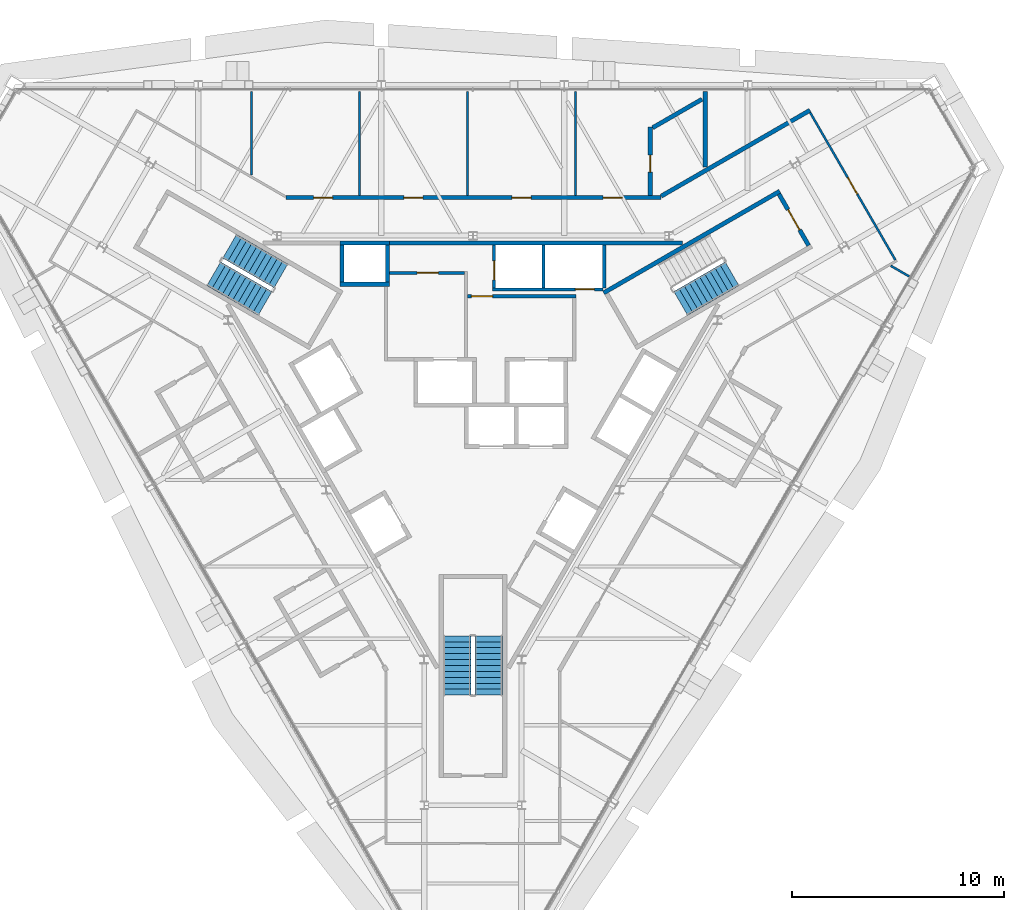
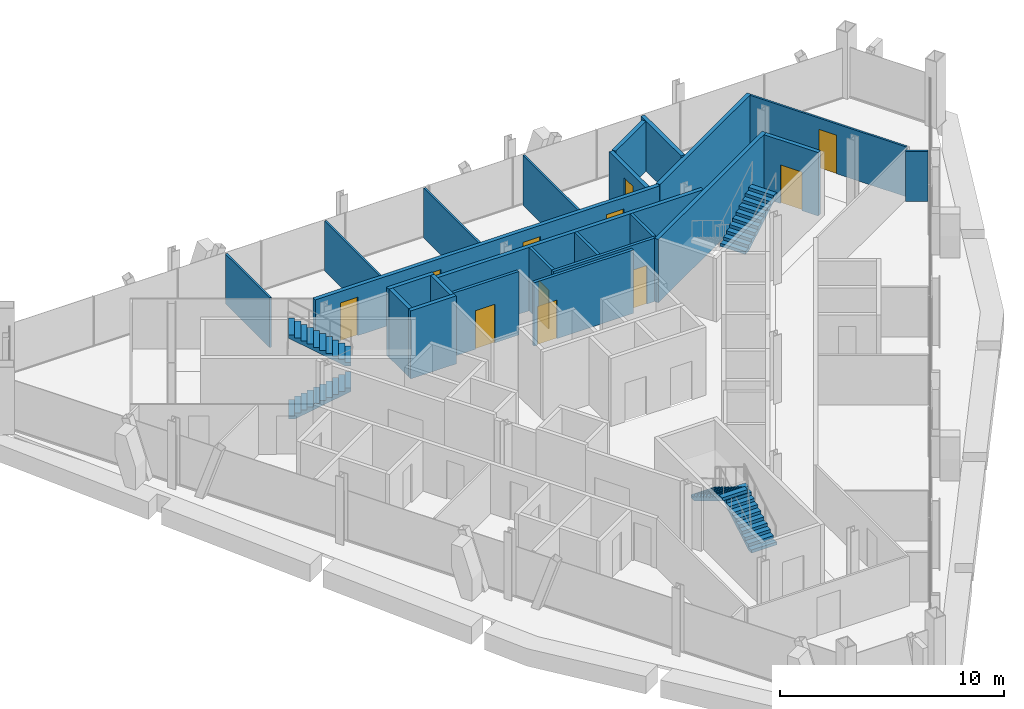
# One storey, part 11 of 13: 24 walls, 11 doors, 5 stair flights, 11 openings, 3 elements without a shape of their own.
"""IFC4 building model written with IfcOpenShell, lengths in metres."""

from ifc_helpers import new_model, si_unit, direction, frame, frame_2d, origin, place, context, subcontext, project, spatial, polyline, rectangle, outline, extrude, material, layer, layer_set, type_object, element, fill, aggregate, save


model = new_model("IFC4")

# Units and contexts
model_context = context("Model", 3, precision=1e-05, world=origin(), true_north=direction((0.0, 1.0)))
body_context = subcontext(model_context, "Body", "Model", "MODEL_VIEW")
ifc_project = project(units=[si_unit("LENGTHUNIT", "METRE"), si_unit("AREAUNIT", "SQUARE_METRE"), si_unit("VOLUMEUNIT", "CUBIC_METRE"), si_unit("PLANEANGLEUNIT", "RADIAN"), si_unit("MASSUNIT", "GRAM", prefix="KILO")], contexts=[model_context])

# Site, building, storey
site_placement = place(None, origin())
site = spatial("IfcSite", under=ifc_project, at=site_placement, CompositionType="ELEMENT")
building_placement = place(site_placement, origin())
building = spatial("IfcBuilding", under=site, at=building_placement, Name="Verrane Prism Tower", CompositionType="ELEMENT")
storey_placement = place(building_placement, frame((0.0, 0.0, 210.10009765625)))
storey = spatial("IfcBuildingStorey", under=building, at=storey_placement, Name="L52", CompositionType="ELEMENT", Elevation=210.10009765625)

# Wall
ifc_material_1 = material(Name="Gypsum board partition", Category="other")
ifc_layer_1 = layer(ifc_material_1, 0.199951171875)
ifc_layer_set_1 = layer_set([ifc_layer_1], Name="CW-200 core boundary wall 2 h")
wall_type_1 = type_object("IfcWallType", Name="CW-200 core boundary wall 2 h", PredefinedType="PARTITIONING", material=ifc_layer_set_1)
wall_1_placement = place(storey_placement, frame((-3.93310546875, 7.659912109375, 0.0), z_axis=(0.0, 0.0, 1.0), x_axis=(1.0, 0.0, 0.0)))
element("IfcWall", 1, at=wall_1_placement, inside=storey, type_object=wall_type_1, Name="Core boundary wall CW3-005", PredefinedType="PARTITIONING", context=body_context, shape_type="SweptSolid", body=[
    extrude(rectangle(XDim=13.841064453125, YDim=0.199951171875, at=frame_2d((6.92041015625, 0.0))), origin(), (0.0, 0.0, 1.0), 3.449951171875),
])

# Wall, opening, door
ifc_material_2 = material(Name="Concrete C40/50", Category="concrete")
ifc_layer_2 = layer(ifc_material_2, 0.199951171875)
ifc_layer_set_2 = layer_set([ifc_layer_2], Name="CW-200 stair core wall concrete C40/50 3 h")
wall_type_2 = type_object("IfcWallType", Name="CW-200 stair core wall concrete C40/50 3 h", PredefinedType="PARTITIONING", material=ifc_layer_set_2)
wall_2_placement = place(storey_placement, frame((15.85546875, 7.53759765625, 0.0), z_axis=(0.0, 0.0, 1.0), x_axis=(-0.500049511043, 0.865996816683, 0.0)))
wall_2 = element("IfcWall", 2, at=wall_2_placement, inside=storey, type_object=wall_type_2, Name="Stair 1 enclosure wall", PredefinedType="PARTITIONING", context=body_context, shape_type="SweptSolid", body=[
    extrude(rectangle(XDim=2.800048828125, YDim=0.199951171875, at=frame_2d((1.39990234375, 0.0))), origin(), (0.0, 0.0, 1.0), 3.449951171875),
])
opening_1_placement = place(wall_2_placement, frame((0.849853515625, 0.0, 0.0)))
opening_1 = element("IfcOpeningElement", 3, at=opening_1_placement, cuts=wall_2, Name="Opening D51500", PredefinedType="OPENING", context=body_context, shape_type="SweptSolid", body=[
    extrude(rectangle(XDim=1.10009765625, YDim=2.10009765625, at=frame_2d((0.550048828125, 1.050048828125))), frame((0.0, 0.10986328125, 0.0), z_axis=(0.0, -1.0, 0.0), x_axis=(1.0, 0.0, 0.0)), (0.0, 0.0, 1.0), 0.219970703125),
])
ifc_material_3 = material(Name="Timber veneered door leaf", Category="wood")
door_type_1 = type_object("IfcDoorType", Name="DR-1100x2100 FD90 single leaf stair", OperationType="NOTDEFINED", PredefinedType="DOOR", material=ifc_material_3)
door_1_placement = place(opening_1_placement, origin())
door_1 = element("IfcDoor", 4, at=door_1_placement, inside=storey, type_object=door_type_1, Name="Stair 1 door", OperationType="SINGLE_SWING_LEFT", OverallHeight=2.10009765625, OverallWidth=1.10009765625, PredefinedType="DOOR", context=body_context, shape_type="SweptSolid", body=[
    extrude(rectangle(XDim=1.10009765625, YDim=2.10009765625, at=frame_2d((0.550048828125, 1.050048828125))), frame((0.0, 0.02490234375, 0.0), z_axis=(0.0, -1.0, 0.0), x_axis=(1.0, 0.0, 0.0)), (0.0, 0.0, 1.0), 0.050048828125),
])
fill(opening_1, door_1)

# Walls
wall_3_placement = place(storey_placement, frame((6.17822265625, 5.299072265625, 0.0), z_axis=(0.0, 0.0, 1.0), x_axis=(0.866019993635, 0.500009370536, 0.0)))
element("IfcWall", 5, at=wall_3_placement, inside=storey, type_object=wall_type_2, Name="Stair 1 enclosure wall", PredefinedType="PARTITIONING", context=body_context, shape_type="SweptSolid", body=[
    extrude(rectangle(XDim=9.599853515625, YDim=0.199951171875, at=frame_2d((4.7998046875, 0.0))), origin(), (0.0, 0.0, 1.0), 3.449951171875),
])
ifc_material_4 = material(Name="Gypsum board shaft wall assembly", Category="other")
ifc_layer_3 = layer(ifc_material_4, 0.199951171875)
ifc_layer_set_3 = layer_set([ifc_layer_3], Name="HW-200 lift shaft wall 2 h")
wall_type_3 = type_object("IfcWallType", Name="HW-200 lift shaft wall 2 h", PredefinedType="PARTITIONING", material=ifc_layer_set_3)
for number, where, z_axis, x_axis, name in (
    (6, (-6.284912109375, 5.7099609375, 0.0), (0.0, 0.0, 1.0), (1.0, 0.0, 0.0), "Lift shaft wall"),
    (7, (-6.284912109375, 7.659912109375, 0.0), (0.0, 0.0, 1.0), (1.0, 0.0, 0.0), "Lift shaft wall"),
):
    element("IfcWall", number, at=place(storey_placement, frame(where, z_axis=z_axis, x_axis=x_axis)), inside=storey, type_object=wall_type_3, Name=name, PredefinedType="PARTITIONING", context=body_context, shape_type="SweptSolid", body=[
        extrude(rectangle(XDim=2.349853515625, YDim=0.199951171875, at=frame_2d((1.1748046875, 0.0))), origin(), (0.0, 0.0, 1.0), 3.699951171875),
    ])
for number, where, z_axis, x_axis, name in (
    (8, (-4.034912109375, 5.81005859375, 0.0), (0.0, 0.0, 1.0), (0.0, 1.0, 0.0), "Lift shaft wall"),
    (9, (-6.18505859375, 5.81005859375, 0.0), (0.0, 0.0, 1.0), (0.0, 1.0, 0.0), "Lift shaft wall"),
):
    element("IfcWall", number, at=place(storey_placement, frame(where, z_axis=z_axis, x_axis=x_axis)), inside=storey, type_object=wall_type_3, Name=name, PredefinedType="PARTITIONING", context=body_context, shape_type="SweptSolid", body=[
        extrude(rectangle(XDim=1.75, YDim=0.199951171875, at=frame_2d((0.875, 0.0))), origin(), (0.0, 0.0, 1.0), 3.699951171875),
    ])

# Wall, opening, door
ifc_material_5 = material(Name="Gypsum board partition", Category="other")
ifc_layer_4 = layer(ifc_material_5, 0.14990234375)
ifc_layer_set_4 = layer_set([ifc_layer_4], Name="LF-150 firefighting lobby wall 1 h")
wall_type_4 = type_object("IfcWallType", Name="LF-150 firefighting lobby wall 1 h", PredefinedType="PARTITIONING", material=ifc_layer_set_4)
wall_4_placement = place(storey_placement, frame((-3.93310546875, 6.239990234375, 0.0), z_axis=(0.0, 0.0, 1.0), x_axis=(1.0, 0.0, 0.0)))
wall_4 = element("IfcWall", 10, at=wall_4_placement, inside=storey, type_object=wall_type_4, Name="Firefighting lobby wall LF1-003", PredefinedType="PARTITIONING", context=body_context, shape_type="SweptSolid", body=[
    extrude(rectangle(XDim=3.5380859375, YDim=0.14990234375, at=frame_2d((1.76904296875, 0.0))), origin(), (0.0, 0.0, 1.0), 3.449951171875),
])
opening_2_placement = place(wall_4_placement, frame((1.300048828125, 0.0, 0.0)))
opening_2 = element("IfcOpeningElement", 11, at=opening_2_placement, cuts=wall_4, Name="Opening D51512", PredefinedType="OPENING", context=body_context, shape_type="SweptSolid", body=[
    extrude(rectangle(XDim=1.0, YDim=2.10009765625, at=frame_2d((0.5, 1.050048828125))), frame((0.0, 0.0849609375, 0.0), z_axis=(0.0, -1.0, 0.0), x_axis=(1.0, 0.0, 0.0)), (0.0, 0.0, 1.0), 0.169921875),
])
ifc_material_6 = material(Name="Timber veneered door leaf", Category="wood")
door_type_2 = type_object("IfcDoorType", Name="DR-1000x2100 FD60 single leaf firefighting lobby", OperationType="NOTDEFINED", PredefinedType="DOOR", material=ifc_material_6)
door_2_placement = place(opening_2_placement, origin())
door_2 = element("IfcDoor", 12, at=door_2_placement, inside=storey, type_object=door_type_2, Name="Firefighting lobby door D51512", OperationType="SINGLE_SWING_LEFT", OverallHeight=2.10009765625, OverallWidth=1.0, PredefinedType="DOOR", context=body_context, shape_type="SweptSolid", body=[
    extrude(rectangle(XDim=1.0, YDim=2.10009765625, at=frame_2d((0.5, 1.050048828125))), frame((0.0, 0.02490234375, 0.0), z_axis=(0.0, -1.0, 0.0), x_axis=(1.0, 0.0, 0.0)), (0.0, 0.0, 1.0), 0.050048828125),
])
fill(opening_2, door_2)

wall_5_placement = place(storey_placement, frame((-0.2451171875, 5.139892578125, 0.0), z_axis=(0.0, 0.0, 1.0), x_axis=(1.0, 0.0, 0.0)))
wall_5 = element("IfcWall", 13, at=wall_5_placement, inside=storey, type_object=wall_type_4, Name="Firefighting lobby wall LF1-005", PredefinedType="PARTITIONING", context=body_context, shape_type="SweptSolid", body=[
    extrude(rectangle(XDim=5.110107421875, YDim=0.14990234375, at=frame_2d((2.55517578125, 0.0))), origin(), (0.0, 0.0, 1.0), 3.449951171875),
])
opening_3_placement = place(wall_5_placement, frame((0.175048828125, 0.0, 0.0)))
opening_3 = element("IfcOpeningElement", 14, at=opening_3_placement, cuts=wall_5, Name="Opening D51513", PredefinedType="OPENING", context=body_context, shape_type="SweptSolid", body=[
    extrude(rectangle(XDim=1.0, YDim=2.10009765625, at=frame_2d((0.5, 1.050048828125))), frame((0.0, 0.0849609375, 0.0), z_axis=(0.0, -1.0, 0.0), x_axis=(1.0, 0.0, 0.0)), (0.0, 0.0, 1.0), 0.169921875),
])
door_3_placement = place(opening_3_placement, origin())
door_3 = element("IfcDoor", 15, at=door_3_placement, inside=storey, type_object=door_type_2, Name="Firefighting lobby door D51513", OperationType="SINGLE_SWING_LEFT", OverallHeight=2.10009765625, OverallWidth=1.0, PredefinedType="DOOR", context=body_context, shape_type="SweptSolid", body=[
    extrude(rectangle(XDim=1.0, YDim=2.10009765625, at=frame_2d((0.5, 1.050048828125))), frame((0.0, 0.02490234375, 0.0), z_axis=(0.0, -1.0, 0.0), x_axis=(1.0, 0.0, 0.0)), (0.0, 0.0, 1.0), 0.050048828125),
])
fill(opening_3, door_3)

# Walls
ifc_material_7 = material(Name="Gypsum board partition", Category="other")
ifc_layer_5 = layer(ifc_material_7, 0.10009765625)
ifc_layer_set_5 = layer_set([ifc_layer_5], Name="PW-100 room partition")
wall_type_5 = type_object("IfcWallType", Name="PW-100 room partition", PredefinedType="PARTITIONING", material=ifc_layer_set_5)
wall_6_placement = place(storey_placement, frame((-10.4609375, 10.858642578125, 0.0), z_axis=(0.0, 0.0, 1.0), x_axis=(0.0, 1.0, 0.0)))
element("IfcWall", 16, at=wall_6_placement, inside=storey, type_object=wall_type_5, Name="Room partition 013", PredefinedType="PARTITIONING", context=body_context, shape_type="SweptSolid", body=[
    extrude(rectangle(XDim=3.947265625, YDim=0.10009765625, at=frame_2d((1.9736328125, 0.0))), origin(), (0.0, 0.0, 1.0), 2.712890625),
])
for number, where, z_axis, x_axis, name in (
    (17, (-5.35791015625, 9.89990234375, 0.0), (0.0, 0.0, 1.0), (0.0, 1.0, 0.0), "Room partition 020"),
    (18, (-0.2548828125, 9.89990234375, 0.0), (0.0, 0.0, 1.0), (0.0, 1.0, 0.0), "Room partition 024"),
    (19, (4.847900390625, 9.89990234375, 0.0), (0.0, 0.0, 1.0), (0.0, 1.0, 0.0), "Room partition 029"),
):
    element("IfcWall", number, at=place(storey_placement, frame(where, z_axis=z_axis, x_axis=x_axis)), inside=storey, type_object=wall_type_5, Name=name, PredefinedType="PARTITIONING", context=body_context, shape_type="SweptSolid", body=[
        extrude(rectangle(XDim=4.906005859375, YDim=0.10009765625, at=frame_2d((2.453125, 0.0))), origin(), (0.0, 0.0, 1.0), 2.712890625),
    ])

# Wall, opening, door
wall_7_placement = place(storey_placement, frame((15.927978515625, 13.8115234375, 0.0), z_axis=(0.0, 0.0, 1.0), x_axis=(0.500422653123, -0.865781247337, 0.0)))
wall_7 = element("IfcWall", 20, at=wall_7_placement, inside=storey, type_object=wall_type_5, Name="Room partition 041", PredefinedType="PARTITIONING", context=body_context, shape_type="SweptSolid", body=[
    extrude(rectangle(XDim=8.04736328125, YDim=0.10009765625, at=frame_2d((4.023681640625, 0.0))), origin(), (0.0, 0.0, 1.0), 2.712890625),
])
opening_4_placement = place(wall_7_placement, frame((3.550048828125, 0.0, 0.0)))
opening_4 = element("IfcOpeningElement", 21, at=opening_4_placement, cuts=wall_7, Name="Opening D51007", PredefinedType="OPENING", context=body_context, shape_type="SweptSolid", body=[
    extrude(rectangle(XDim=0.89990234375, YDim=2.10009765625, at=frame_2d((0.449951171875, 1.050048828125))), frame((0.0, 0.06005859375, 0.0), z_axis=(0.0, -1.0, 0.0), x_axis=(1.0, 0.0, 0.0)), (0.0, 0.0, 1.0), 0.1201171875),
])
ifc_material_8 = material(Name="Timber veneered door leaf", Category="wood")
door_type_3 = type_object("IfcDoorType", Name="DR-900x2100 single leaf unit", OperationType="NOTDEFINED", PredefinedType="DOOR", material=ifc_material_8)
door_4_placement = place(opening_4_placement, origin())
door_4 = element("IfcDoor", 22, at=door_4_placement, inside=storey, type_object=door_type_3, Name="Kitchen door", OperationType="SINGLE_SWING_LEFT", OverallHeight=2.10009765625, OverallWidth=0.89990234375, PredefinedType="DOOR", context=body_context, shape_type="SweptSolid", body=[
    extrude(rectangle(XDim=0.89990234375, YDim=2.10009765625, at=frame_2d((0.449951171875, 1.050048828125))), frame((0.0, 0.02490234375, 0.0), z_axis=(0.0, -1.0, 0.0), x_axis=(1.0, 0.0, 0.0)), (0.0, 0.0, 1.0), 0.050048828125),
])
fill(opening_4, door_4)

# Wall
wall_8_placement = place(storey_placement, frame((19.739013671875, 6.57568359375, 0.0), z_axis=(0.0, 0.0, 1.0), x_axis=(0.865855657918, -0.500293893279, 0.0)))
element("IfcWall", 23, at=wall_8_placement, inside=storey, type_object=wall_type_5, Name="Room partition 042", PredefinedType="PARTITIONING", context=body_context, shape_type="SweptSolid", body=[
    extrude(rectangle(XDim=0.99853515625, YDim=0.10009765625, at=frame_2d((0.499267578125, 0.0))), origin(), (0.0, 0.0, 1.0), 2.712890625),
])

# Wall, openings, doors
ifc_material_9 = material(Name="Gypsum board partition", Category="other")
ifc_layer_6 = layer(ifc_material_9, 0.199951171875)
ifc_layer_set_6 = layer_set([ifc_layer_6], Name="PW-200 plumbing wall")
wall_type_6 = type_object("IfcWallType", Name="PW-200 plumbing wall", PredefinedType="PARTITIONING", material=ifc_layer_set_6)
wall_9_placement = place(storey_placement, frame((-8.827880859375, 9.800048828125, 0.0), z_axis=(0.0, 0.0, 1.0), x_axis=(1.0, 0.0, 0.0)))
wall_9 = element("IfcWall", 24, at=wall_9_placement, inside=storey, type_object=wall_type_6, Name="Plumbing wall 017", PredefinedType="PARTITIONING", context=body_context, shape_type="SweptSolid", body=[
    extrude(rectangle(XDim=17.705810546875, YDim=0.199951171875, at=frame_2d((8.85302734375, 0.0))), origin(), (0.0, 0.0, 1.0), 2.712890625),
])
opening_5_placement = place(wall_9_placement, frame((14.97607421875, 0.0, 0.0)))
opening_5 = element("IfcOpeningElement", 25, at=opening_5_placement, cuts=wall_9, Name="Opening D51008", PredefinedType="OPENING", context=body_context, shape_type="SweptSolid", body=[
    extrude(rectangle(XDim=0.89990234375, YDim=2.10009765625, at=frame_2d((0.449951171875, 1.050048828125))), frame((0.0, 0.10986328125, 0.0), z_axis=(0.0, -1.0, 0.0), x_axis=(1.0, 0.0, 0.0)), (0.0, 0.0, 1.0), 0.219970703125),
])
opening_6_placement = place(wall_9_placement, frame((10.673095703125, 0.0, 0.0)))
opening_6 = element("IfcOpeningElement", 26, at=opening_6_placement, cuts=wall_9, Name="Opening D51010", PredefinedType="OPENING", context=body_context, shape_type="SweptSolid", body=[
    extrude(rectangle(XDim=0.89990234375, YDim=2.10009765625, at=frame_2d((0.449951171875, 1.050048828125))), frame((0.0, 0.10986328125, 0.0), z_axis=(0.0, -1.0, 0.0), x_axis=(1.0, 0.0, 0.0)), (0.0, 0.0, 1.0), 0.219970703125),
])
opening_7_placement = place(wall_9_placement, frame((5.570068359375, 0.0, 0.0)))
opening_7 = element("IfcOpeningElement", 27, at=opening_7_placement, cuts=wall_9, Name="Opening D51011", PredefinedType="OPENING", context=body_context, shape_type="SweptSolid", body=[
    extrude(rectangle(XDim=0.89990234375, YDim=2.10009765625, at=frame_2d((0.449951171875, 1.050048828125))), frame((0.0, 0.10986328125, 0.0), z_axis=(0.0, -1.0, 0.0), x_axis=(1.0, 0.0, 0.0)), (0.0, 0.0, 1.0), 0.219970703125),
])
opening_8_placement = place(wall_9_placement, frame((1.300048828125, 0.0, 0.0)))
opening_8 = element("IfcOpeningElement", 28, at=opening_8_placement, cuts=wall_9, Name="Opening D51012", PredefinedType="OPENING", context=body_context, shape_type="SweptSolid", body=[
    extrude(rectangle(XDim=0.89990234375, YDim=2.10009765625, at=frame_2d((0.449951171875, 1.050048828125))), frame((0.0, 0.10986328125, 0.0), z_axis=(0.0, -1.0, 0.0), x_axis=(1.0, 0.0, 0.0)), (0.0, 0.0, 1.0), 0.219970703125),
])
ifc_material_10 = material(Name="Timber veneered door leaf", Category="wood")
door_type_4 = type_object("IfcDoorType", Name="DR-900x2100 single leaf inner", OperationType="NOTDEFINED", PredefinedType="DOOR", material=ifc_material_10)
door_5_placement = place(opening_5_placement, origin())
door_5 = element("IfcDoor", 29, at=door_5_placement, inside=storey, type_object=door_type_4, Name="Master Bedroom door", OperationType="SINGLE_SWING_RIGHT", OverallHeight=2.10009765625, OverallWidth=0.89990234375, PredefinedType="DOOR", context=body_context, shape_type="SweptSolid", body=[
    extrude(rectangle(XDim=0.89990234375, YDim=2.10009765625, at=frame_2d((0.449951171875, 1.050048828125))), frame((0.0, 0.02490234375, 0.0), z_axis=(0.0, -1.0, 0.0), x_axis=(1.0, 0.0, 0.0)), (0.0, 0.0, 1.0), 0.050048828125),
])
fill(opening_5, door_5)
door_6_placement = place(opening_6_placement, origin())
door_6 = element("IfcDoor", 30, at=door_6_placement, inside=storey, type_object=door_type_3, Name="Study door", OperationType="SINGLE_SWING_RIGHT", OverallHeight=2.10009765625, OverallWidth=0.89990234375, PredefinedType="DOOR", context=body_context, shape_type="SweptSolid", body=[
    extrude(rectangle(XDim=0.89990234375, YDim=2.10009765625, at=frame_2d((0.449951171875, 1.050048828125))), frame((0.0, 0.02490234375, 0.0), z_axis=(0.0, -1.0, 0.0), x_axis=(1.0, 0.0, 0.0)), (0.0, 0.0, 1.0), 0.050048828125),
])
fill(opening_6, door_6)
door_7_placement = place(opening_7_placement, origin())
door_7 = element("IfcDoor", 31, at=door_7_placement, inside=storey, type_object=door_type_3, Name="Study door", OperationType="SINGLE_SWING_LEFT", OverallHeight=2.10009765625, OverallWidth=0.89990234375, PredefinedType="DOOR", context=body_context, shape_type="SweptSolid", body=[
    extrude(rectangle(XDim=0.89990234375, YDim=2.10009765625, at=frame_2d((0.449951171875, 1.050048828125))), frame((0.0, 0.02490234375, 0.0), z_axis=(0.0, -1.0, 0.0), x_axis=(1.0, 0.0, 0.0)), (0.0, 0.0, 1.0), 0.050048828125),
])
fill(opening_7, door_7)
door_8_placement = place(opening_8_placement, origin())
door_8 = element("IfcDoor", 32, at=door_8_placement, inside=storey, type_object=door_type_3, Name="Study door", OperationType="SINGLE_SWING_RIGHT", OverallHeight=2.10009765625, OverallWidth=0.89990234375, PredefinedType="DOOR", context=body_context, shape_type="SweptSolid", body=[
    extrude(rectangle(XDim=0.89990234375, YDim=2.10009765625, at=frame_2d((0.449951171875, 1.050048828125))), frame((0.0, 0.02490234375, 0.0), z_axis=(0.0, -1.0, 0.0), x_axis=(1.0, 0.0, 0.0)), (0.0, 0.0, 1.0), 0.050048828125),
])
fill(opening_8, door_8)

# Wall, opening, door
wall_10_placement = place(storey_placement, frame((8.37109375, 13.12890625, 0.0), z_axis=(0.0, 0.0, 1.0), x_axis=(0.0, -1.0, 0.0)))
wall_10 = element("IfcWall", 33, at=wall_10_placement, inside=storey, type_object=wall_type_6, Name="Plumbing wall 031", PredefinedType="PARTITIONING", context=body_context, shape_type="SweptSolid", body=[
    extrude(rectangle(XDim=3.22900390625, YDim=0.199951171875, at=frame_2d((1.614501953125, 0.0))), origin(), (0.0, 0.0, 1.0), 2.712890625),
])
opening_9_placement = place(wall_10_placement, frame((1.3291015625, 0.0, 0.0)))
opening_9 = element("IfcOpeningElement", 34, at=opening_9_placement, cuts=wall_10, Name="Opening D51009", PredefinedType="OPENING", context=body_context, shape_type="SweptSolid", body=[
    extrude(rectangle(XDim=0.800048828125, YDim=2.10009765625, at=frame_2d((0.39990234375, 1.050048828125))), frame((0.0, 0.10986328125, 0.0), z_axis=(0.0, -1.0, 0.0), x_axis=(1.0, 0.0, 0.0)), (0.0, 0.0, 1.0), 0.219970703125),
])
ifc_material_11 = material(Name="Timber veneered door leaf", Category="wood")
door_type_5 = type_object("IfcDoorType", Name="DR-800x2100 single leaf bath", OperationType="NOTDEFINED", PredefinedType="DOOR", material=ifc_material_11)
door_9_placement = place(opening_9_placement, origin())
door_9 = element("IfcDoor", 35, at=door_9_placement, inside=storey, type_object=door_type_5, Name="Master Bathroom door", OperationType="SINGLE_SWING_RIGHT", OverallHeight=2.10009765625, OverallWidth=0.800048828125, PredefinedType="DOOR", context=body_context, shape_type="SweptSolid", body=[
    extrude(rectangle(XDim=0.800048828125, YDim=2.10009765625, at=frame_2d((0.39990234375, 1.050048828125))), frame((0.0, 0.02490234375, 0.0), z_axis=(0.0, -1.0, 0.0), x_axis=(1.0, 0.0, 0.0)), (0.0, 0.0, 1.0), 0.050048828125),
])
fill(opening_9, door_9)

# Walls
wall_11_placement = place(storey_placement, frame((8.488037109375, 13.096435546875, 0.0), z_axis=(0.0, 0.0, 1.0), x_axis=(0.866031650062, 0.499989180974, 0.0)))
element("IfcWall", 36, at=wall_11_placement, inside=storey, type_object=wall_type_6, Name="Plumbing wall 032", PredefinedType="PARTITIONING", context=body_context, shape_type="SweptSolid", body=[
    extrude(rectangle(XDim=2.69384765625, YDim=0.199951171875, at=frame_2d((1.346923828125, 0.0))), origin(), (0.0, 0.0, 1.0), 2.712890625),
])
wall_12_placement = place(storey_placement, frame((8.89501953125, 9.867431640625, 0.0), z_axis=(0.0, 0.0, 1.0), x_axis=(0.866079355551, 0.499906541154, 0.0)))
element("IfcWall", 37, at=wall_12_placement, inside=storey, type_object=wall_type_6, Name="Plumbing wall 033", PredefinedType="PARTITIONING", context=body_context, shape_type="SweptSolid", body=[
    extrude(rectangle(XDim=8.11279296875, YDim=0.199951171875, at=frame_2d((4.056396484375, 0.0))), origin(), (0.0, 0.0, 1.0), 2.712890625),
])
wall_13_placement = place(storey_placement, frame((10.970947265625, 11.2392578125, 0.0), z_axis=(0.0, 0.0, 1.0), x_axis=(0.0, 1.0, 0.0)))
element("IfcWall", 38, at=wall_13_placement, inside=storey, type_object=wall_type_6, Name="Plumbing wall 035", PredefinedType="PARTITIONING", context=body_context, shape_type="SweptSolid", body=[
    extrude(rectangle(XDim=3.566650390625, YDim=0.199951171875, at=frame_2d((1.783203125, 0.0))), origin(), (0.0, 0.0, 1.0), 2.712890625),
])

# Wall, opening, door
ifc_material_12 = material(Name="Gypsum board partition", Category="other")
ifc_layer_7 = layer(ifc_material_12, 0.14990234375)
ifc_layer_set_7 = layer_set([ifc_layer_7], Name="RS-150 riser enclosure wall 1 h")
wall_type_7 = type_object("IfcWallType", Name="RS-150 riser enclosure wall 1 h", PredefinedType="PARTITIONING", material=ifc_layer_set_7)
wall_14_placement = place(storey_placement, frame((1.0, 7.56005859375, 0.0), z_axis=(0.0, 0.0, 1.0), x_axis=(0.0, -1.0, 0.0)))
wall_14 = element("IfcWall", 39, at=wall_14_placement, inside=storey, type_object=wall_type_7, Name="Riser wall RS3-001", PredefinedType="PARTITIONING", context=body_context, shape_type="SweptSolid", body=[
    extrude(rectangle(XDim=2.025146484375, YDim=0.14990234375, at=frame_2d((1.0126953125, 0.0))), origin(), (0.0, 0.0, 1.0), 3.449951171875),
])
opening_10_placement = place(wall_14_placement, frame((0.75, 0.0, 0.0)))
opening_10 = element("IfcOpeningElement", 40, at=opening_10_placement, cuts=wall_14, Name="Opening D51514", PredefinedType="OPENING", context=body_context, shape_type="SweptSolid", body=[
    extrude(rectangle(XDim=0.89990234375, YDim=2.10009765625, at=frame_2d((0.449951171875, 1.050048828125))), frame((0.0, 0.0849609375, 0.0), z_axis=(0.0, -1.0, 0.0), x_axis=(1.0, 0.0, 0.0)), (0.0, 0.0, 1.0), 0.169921875),
])
ifc_material_13 = material(Name="Timber veneered door leaf", Category="wood")
door_type_6 = type_object("IfcDoorType", Name="DR-900x2100 FD60 single leaf riser", OperationType="NOTDEFINED", PredefinedType="DOOR", material=ifc_material_13)
door_10_placement = place(opening_10_placement, origin())
door_10 = element("IfcDoor", 41, at=door_10_placement, inside=storey, type_object=door_type_6, Name="Riser door D51514", OperationType="SINGLE_SWING_RIGHT", OverallHeight=2.10009765625, OverallWidth=0.89990234375, PredefinedType="DOOR", context=body_context, shape_type="SweptSolid", body=[
    extrude(rectangle(XDim=0.89990234375, YDim=2.10009765625, at=frame_2d((0.449951171875, 1.050048828125))), frame((0.0, 0.02490234375, 0.0), z_axis=(0.0, -1.0, 0.0), x_axis=(1.0, 0.0, 0.0)), (0.0, 0.0, 1.0), 0.050048828125),
])
fill(opening_10, door_10)

wall_15_placement = place(storey_placement, frame((0.925048828125, 5.4599609375, 0.0), z_axis=(0.0, 0.0, 1.0), x_axis=(1.0, 0.0, 0.0)))
wall_15 = element("IfcWall", 42, at=wall_15_placement, inside=storey, type_object=wall_type_7, Name="Riser wall RS3-002", PredefinedType="PARTITIONING", context=body_context, shape_type="SweptSolid", body=[
    extrude(rectangle(XDim=5.219970703125, YDim=0.14990234375, at=frame_2d((2.60986328125, 0.0))), origin(), (0.0, 0.0, 1.0), 3.449951171875),
])
opening_11_placement = place(wall_15_placement, frame((3.9150390625, 0.0, 0.0)))
opening_11 = element("IfcOpeningElement", 43, at=opening_11_placement, cuts=wall_15, Name="Opening D51515", PredefinedType="OPENING", context=body_context, shape_type="SweptSolid", body=[
    extrude(rectangle(XDim=0.89990234375, YDim=2.10009765625, at=frame_2d((0.449951171875, 1.050048828125))), frame((0.0, 0.0849609375, 0.0), z_axis=(0.0, -1.0, 0.0), x_axis=(1.0, 0.0, 0.0)), (0.0, 0.0, 1.0), 0.169921875),
])
door_11_placement = place(opening_11_placement, origin())
door_11 = element("IfcDoor", 44, at=door_11_placement, inside=storey, type_object=door_type_6, Name="Riser door D51515", OperationType="SINGLE_SWING_RIGHT", OverallHeight=2.10009765625, OverallWidth=0.89990234375, PredefinedType="DOOR", context=body_context, shape_type="SweptSolid", body=[
    extrude(rectangle(XDim=0.89990234375, YDim=2.10009765625, at=frame_2d((0.449951171875, 1.050048828125))), frame((0.0, 0.02490234375, 0.0), z_axis=(0.0, -1.0, 0.0), x_axis=(1.0, 0.0, 0.0)), (0.0, 0.0, 1.0), 0.050048828125),
])
fill(opening_11, door_11)

# Walls
for number, where, z_axis, x_axis, name in (
    (45, (3.340087890625, 5.534912109375, 0.0), (0.0, 0.0, 1.0), (0.0, 1.0, 0.0), "Riser wall RS3-006"),
    (46, (6.199951171875, 5.534912109375, 0.0), (0.0, 0.0, 1.0), (0.0, 1.0, 0.0), "Riser wall RS3-007"),
):
    element("IfcWall", number, at=place(storey_placement, frame(where, z_axis=z_axis, x_axis=x_axis)), inside=storey, type_object=wall_type_7, Name=name, PredefinedType="PARTITIONING", context=body_context, shape_type="SweptSolid", body=[
        extrude(rectangle(XDim=2.025146484375, YDim=0.14990234375, at=frame_2d((1.0126953125, 0.0))), origin(), (0.0, 0.0, 1.0), 3.449951171875),
    ])

# Stair, stair flight
ifc_material_14 = material(Name="Concrete C40/50", Category="concrete")
stair_type = type_object("IfcStairType", Name="Exit stair 1300 dog-leg precast concrete C40/50", PredefinedType="HALF_TURN_STAIR", material=ifc_material_14)
stair_1_placement = place(storey_placement, origin())
stair_1 = element("IfcStair", 47, at=stair_1_placement, inside=storey, type_object=stair_type, Name="Stair 1 L52", PredefinedType="HALF_TURN_STAIR")
ifc_material_15 = material(Name="Concrete C40/50", Category="concrete")
stair_flight_type = type_object("IfcStairFlightType", Name="Stair flight 1300 precast concrete C40/50", PredefinedType="STRAIGHT", material=ifc_material_15)
stair_flight_1_placement = place(storey_placement, frame((9.814697265625, 4.800537109375, 1.849853515625), z_axis=(0.0, 0.0, 1.0), x_axis=(0.866025403784, 0.5, 0.0)))
stair_flight_1 = element("IfcStairFlight", 48, at=stair_flight_1_placement, type_object=stair_flight_type, Name="Stair 1 flight 2", NumberOfRisers=11, NumberOfTreads=10, PredefinedType="STRAIGHT", RiserHeight=0.168181818, TreadLength=0.28, context=body_context, shape_type="SweptSolid", body=[
    extrude(outline(polyline([(0.0, 0.0), (0.0, 0.168212890625), (0.280029296875, 0.168212890625), (0.280029296875, 0.33642578125), (0.56005859375, 0.33642578125), (0.56005859375, 0.504638671875), (0.840087890625, 0.504638671875), (0.840087890625, 0.672607421875), (1.1201171875, 0.672607421875), (1.1201171875, 0.8408203125), (1.39990234375, 0.8408203125), (1.39990234375, 1.009033203125), (1.679931640625, 1.009033203125), (1.679931640625, 1.17724609375), (1.9599609375, 1.17724609375), (1.9599609375, 1.345458984375), (2.239990234375, 1.345458984375), (2.239990234375, 1.513671875), (2.52001953125, 1.513671875), (2.52001953125, 1.681884765625), (2.800048828125, 1.681884765625), (2.800048828125, 1.85009765625), (2.800048828125, 1.5068359375), (0.291015625, 0.0), (0.0, 0.0)])), frame((0.0, 0.64990234375, 0.0), z_axis=(0.0, -1.0, 0.0), x_axis=(1.0, 0.0, 0.0)), (0.0, 0.0, 1.0), 1.300048828125),
])
aggregate(stair_1, [stair_flight_1])

# Stair, stair flights
stair_2_placement = place(storey_placement, origin())
stair_2 = element("IfcStair", 49, at=stair_2_placement, inside=storey, type_object=stair_type, Name="Stair 2 L52", PredefinedType="HALF_TURN_STAIR")
stair_flight_2_placement = place(storey_placement, frame((-12.239501953125, 6.200439453125, 0.0), z_axis=(0.0, 0.0, 1.0), x_axis=(0.866025403784, -0.5, 0.0)))
stair_flight_2 = element("IfcStairFlight", 50, at=stair_flight_2_placement, type_object=stair_flight_type, Name="Stair 2 flight 1", NumberOfRisers=11, NumberOfTreads=10, PredefinedType="STRAIGHT", RiserHeight=0.168181818, TreadLength=0.28, context=body_context, shape_type="SweptSolid", body=[
    extrude(outline(polyline([(0.0, 0.0), (0.0, 0.168212890625), (0.280029296875, 0.168212890625), (0.280029296875, 0.33642578125), (0.56005859375, 0.33642578125), (0.56005859375, 0.504638671875), (0.840087890625, 0.504638671875), (0.840087890625, 0.672607421875), (1.1201171875, 0.672607421875), (1.1201171875, 0.8408203125), (1.39990234375, 0.8408203125), (1.39990234375, 1.009033203125), (1.679931640625, 1.009033203125), (1.679931640625, 1.17724609375), (1.9599609375, 1.17724609375), (1.9599609375, 1.345458984375), (2.239990234375, 1.345458984375), (2.239990234375, 1.513671875), (2.52001953125, 1.513671875), (2.52001953125, 1.681884765625), (2.800048828125, 1.681884765625), (2.800048828125, 1.85009765625), (2.800048828125, 1.5068359375), (0.291015625, 0.0), (0.0, 0.0)])), frame((0.0, 0.64990234375, 0.0), z_axis=(0.0, -1.0, 0.0), x_axis=(1.0, 0.0, 0.0)), (0.0, 0.0, 1.0), 1.300048828125),
])
stair_flight_3_placement = place(storey_placement, frame((-9.064697265625, 6.099609375, 1.849853515625), z_axis=(0.0, 0.0, 1.0), x_axis=(-0.866025403784, 0.5, 0.0)))
stair_flight_3 = element("IfcStairFlight", 51, at=stair_flight_3_placement, type_object=stair_flight_type, Name="Stair 2 flight 2", NumberOfRisers=11, NumberOfTreads=10, PredefinedType="STRAIGHT", RiserHeight=0.168181818, TreadLength=0.28, context=body_context, shape_type="SweptSolid", body=[
    extrude(outline(polyline([(0.0, 0.0), (0.0, 0.168212890625), (0.280029296875, 0.168212890625), (0.280029296875, 0.33642578125), (0.56005859375, 0.33642578125), (0.56005859375, 0.504638671875), (0.840087890625, 0.504638671875), (0.840087890625, 0.672607421875), (1.1201171875, 0.672607421875), (1.1201171875, 0.8408203125), (1.39990234375, 0.8408203125), (1.39990234375, 1.009033203125), (1.679931640625, 1.009033203125), (1.679931640625, 1.17724609375), (1.9599609375, 1.17724609375), (1.9599609375, 1.345458984375), (2.239990234375, 1.345458984375), (2.239990234375, 1.513671875), (2.52001953125, 1.513671875), (2.52001953125, 1.681884765625), (2.800048828125, 1.681884765625), (2.800048828125, 1.85009765625), (2.800048828125, 1.5068359375), (0.291015625, 0.0), (0.0, 0.0)])), frame((0.0, 0.64990234375, 0.0), z_axis=(0.0, -1.0, 0.0), x_axis=(1.0, 0.0, 0.0)), (0.0, 0.0, 1.0), 1.300048828125),
])
aggregate(stair_2, [stair_flight_2, stair_flight_3])

stair_3_placement = place(storey_placement, origin())
stair_3 = element("IfcStair", 52, at=stair_3_placement, inside=storey, type_object=stair_type, Name="Stair 3 L52", PredefinedType="HALF_TURN_STAIR")
stair_flight_4_placement = place(storey_placement, frame((0.75, -13.699951171875, 0.0), z_axis=(0.0, 0.0, 1.0), x_axis=(0.0, 1.0, 0.0)))
stair_flight_4 = element("IfcStairFlight", 53, at=stair_flight_4_placement, type_object=stair_flight_type, Name="Stair 3 flight 1", NumberOfRisers=11, NumberOfTreads=10, PredefinedType="STRAIGHT", RiserHeight=0.168181818, TreadLength=0.28, context=body_context, shape_type="SweptSolid", body=[
    extrude(outline(polyline([(0.0, 0.0), (0.0, 0.168212890625), (0.280029296875, 0.168212890625), (0.280029296875, 0.33642578125), (0.56005859375, 0.33642578125), (0.56005859375, 0.504638671875), (0.840087890625, 0.504638671875), (0.840087890625, 0.672607421875), (1.1201171875, 0.672607421875), (1.1201171875, 0.8408203125), (1.39990234375, 0.8408203125), (1.39990234375, 1.009033203125), (1.679931640625, 1.009033203125), (1.679931640625, 1.17724609375), (1.9599609375, 1.17724609375), (1.9599609375, 1.345458984375), (2.239990234375, 1.345458984375), (2.239990234375, 1.513671875), (2.52001953125, 1.513671875), (2.52001953125, 1.681884765625), (2.800048828125, 1.681884765625), (2.800048828125, 1.85009765625), (2.800048828125, 1.5068359375), (0.291015625, 0.0), (0.0, 0.0)])), frame((0.0, 0.64990234375, 0.0), z_axis=(0.0, -1.0, 0.0), x_axis=(1.0, 0.0, 0.0)), (0.0, 0.0, 1.0), 1.300048828125),
])
stair_flight_5_placement = place(storey_placement, frame((-0.75, -10.89990234375, 1.849853515625), z_axis=(0.0, 0.0, 1.0), x_axis=(0.0, -1.0, 0.0)))
stair_flight_5 = element("IfcStairFlight", 54, at=stair_flight_5_placement, type_object=stair_flight_type, Name="Stair 3 flight 2", NumberOfRisers=11, NumberOfTreads=10, PredefinedType="STRAIGHT", RiserHeight=0.168181818, TreadLength=0.28, context=body_context, shape_type="SweptSolid", body=[
    extrude(outline(polyline([(0.0, 0.0), (0.0, 0.168212890625), (0.280029296875, 0.168212890625), (0.280029296875, 0.33642578125), (0.56005859375, 0.33642578125), (0.56005859375, 0.504638671875), (0.840087890625, 0.504638671875), (0.840087890625, 0.672607421875), (1.1201171875, 0.672607421875), (1.1201171875, 0.8408203125), (1.39990234375, 0.8408203125), (1.39990234375, 1.009033203125), (1.679931640625, 1.009033203125), (1.679931640625, 1.17724609375), (1.9599609375, 1.17724609375), (1.9599609375, 1.345458984375), (2.239990234375, 1.345458984375), (2.239990234375, 1.513671875), (2.52001953125, 1.513671875), (2.52001953125, 1.681884765625), (2.800048828125, 1.681884765625), (2.800048828125, 1.85009765625), (2.800048828125, 1.5068359375), (0.291015625, 0.0), (0.0, 0.0)])), frame((0.0, 0.64990234375, 0.0), z_axis=(0.0, -1.0, 0.0), x_axis=(1.0, 0.0, 0.0)), (0.0, 0.0, 1.0), 1.300048828125),
])
aggregate(stair_3, [stair_flight_4, stair_flight_5])

save(model, "model.ifc")
